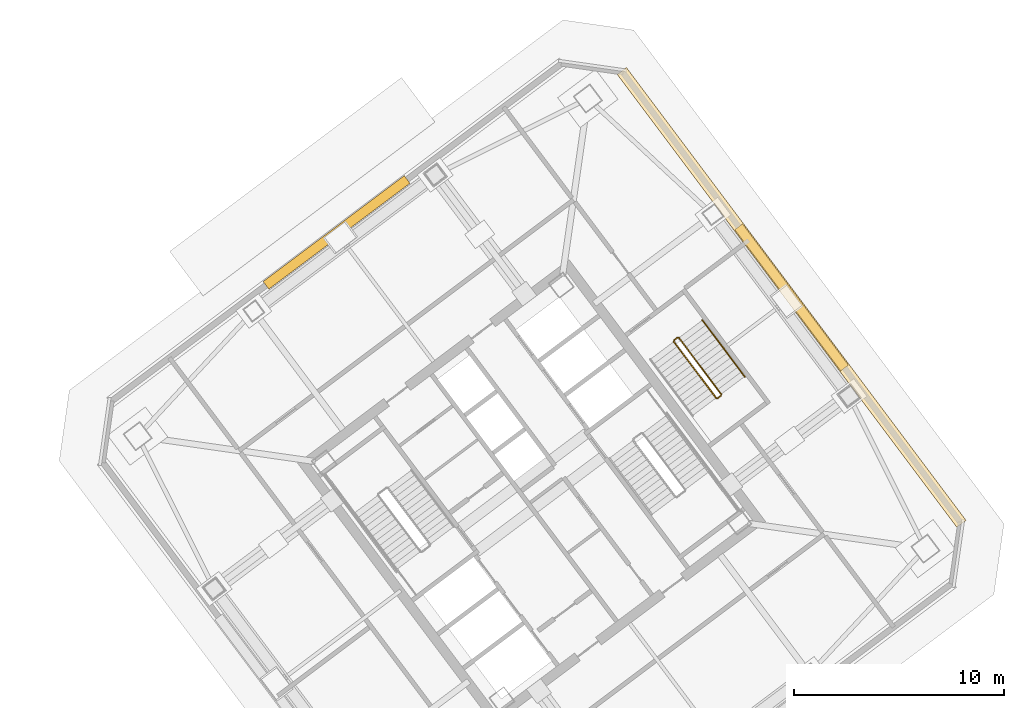
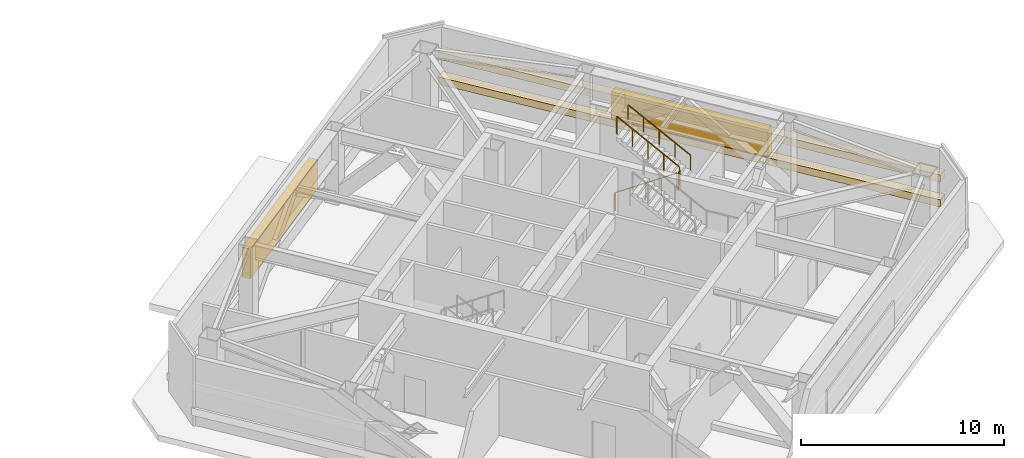
# One storey, part 14 of 15: 5 railings, 2 coverings, 2 shading devices.
"""IFC4 building model written with IfcOpenShell, lengths in metres."""

from ifc_helpers import new_model, si_unit, direction, frame, origin, origin_2d, place, context, subcontext, project, spatial, rectangle, extrude, material, layer, layer_set, type_object, element, save


model = new_model("IFC4")

# Units and contexts
model_context = context("Model", 3, precision=1e-05, world=origin(), true_north=direction((0.0, 1.0)))
body_context = subcontext(model_context, "Body", "Model", "MODEL_VIEW")
ifc_project = project(units=[si_unit("LENGTHUNIT", "METRE"), si_unit("AREAUNIT", "SQUARE_METRE"), si_unit("VOLUMEUNIT", "CUBIC_METRE"), si_unit("PLANEANGLEUNIT", "RADIAN"), si_unit("MASSUNIT", "GRAM", prefix="KILO")], contexts=[model_context])

# Site, building, storey
site_placement = place(None, origin())
site = spatial("IfcSite", under=ifc_project, at=site_placement, CompositionType="ELEMENT")
building_placement = place(site_placement, origin())
building = spatial("IfcBuilding", under=site, at=building_placement, Name="Tashvorn Skyway Center", CompositionType="ELEMENT")
storey_placement = place(building_placement, frame((0.0, 0.0, 199.60009765625)))
storey = spatial("IfcBuildingStorey", under=building, at=storey_placement, Name="L54", CompositionType="ELEMENT", Elevation=199.60009765625)

# Coverings
ifc_material_1 = material(Name="Perforated ceramic-coated bronze aluminium solar screen", Category="aluminium")
ifc_layer_1 = layer(ifc_material_1, 0.85009765625)
ifc_layer_set_1 = layer_set([ifc_layer_1], Name="Perforated ceramic-coated bronze aluminium solar screen")
covering_type = type_object("IfcCoveringType", Name="COV-SOLAR-BAND", PredefinedType="CLADDING", material=ifc_layer_set_1)
for number, where, z_axis, x_axis, name in (
    (1, (126.384033203125, 41.2880859375, 1.030029296875), (0.0, 0.0, 1.0), (0.600000004945, -0.799999996291, 0.0), "Tower 2 L54 East Belt Acoustic Louvre Band 1"),
    (2, (126.384033203125, 41.2880859375, 2.530029296875), (0.0, 0.0, 1.0), (0.600000004945, -0.799999996291, 0.0), "Tower 2 L54 East Belt Acoustic Louvre Band 2"),
):
    element("IfcCovering", number, at=place(storey_placement, frame(where, z_axis=z_axis, x_axis=x_axis)), inside=storey, type_object=covering_type, Name=name, PredefinedType="CLADDING", context=body_context, shape_type="SweptSolid", body=[
        extrude(rectangle(XDim=26.9599609375, YDim=0.550048828125, at=origin_2d()), origin(), (0.0, 0.0, 1.0), 0.43994140625),
    ])

# Railings
ifc_material_2 = material(Name="Brushed stainless steel 316", Category="steel")
railing_type_1 = type_object("IfcRailingType", Name="RAIL-HAND-920", PredefinedType="HANDRAIL", material=ifc_material_2)
railing_1_placement = place(storey_placement, frame((124.152099609375, 37.513916015625, 2.476806640625)))
element("IfcRailing", 3, at=railing_1_placement, inside=storey, type_object=railing_type_1, Name="L54 ST-T2-3 stair handrail 2", PredefinedType="HANDRAIL", context=body_context, shape_type="SweptSolid", body=[
    extrude(rectangle(XDim=0.048095703125, YDim=0.048095703125, at=origin_2d()), frame((0.0, 0.0, 0.8759765625), z_axis=(-0.507251334297, 0.676294162098, 0.53415567971), x_axis=(-0.79998256135, -0.600023250829, 0.0)), (0.0, 0.0, 1.0), 3.974609375),
    extrude(rectangle(XDim=0.0419921875, YDim=0.0419921875, at=origin_2d()), origin(), (0.0, 0.0, 1.0), 0.851806640625),
    extrude(rectangle(XDim=0.0419921875, YDim=0.0419921875, at=origin_2d()), frame((-0.50390625, 0.671875, 0.53076171875)), (0.0, 0.0, 1.0), 0.851806640625),
    extrude(rectangle(XDim=0.0419921875, YDim=0.0419921875, at=origin_2d()), frame((-1.008056640625, 1.343994140625, 1.0615234375)), (0.0, 0.0, 1.0), 0.851806640625),
    extrude(rectangle(XDim=0.0419921875, YDim=0.0419921875, at=origin_2d()), frame((-1.51220703125, 2.01611328125, 1.59228515625)), (0.0, 0.0, 1.0), 0.851806640625),
    extrude(rectangle(XDim=0.0419921875, YDim=0.0419921875, at=origin_2d()), frame((-2.01611328125, 2.68798828125, 2.123046875)), (0.0, 0.0, 1.0), 0.851806640625),
])
ifc_material_3 = material(Name="Painted galvanized steel S355", Category="steel")
railing_type_2 = type_object("IfcRailingType", Name="RAIL-STGUARD-1100", PredefinedType="GUARDRAIL", material=ifc_material_3)
railing_2_placement = place(storey_placement, frame((120.77587890625, 39.181884765625, 0.1767578125)))
element("IfcRailing", 4, at=railing_2_placement, inside=storey, type_object=railing_type_2, Name="L54 ST-T2-3 stair guard 1", PredefinedType="GUARDRAIL", context=body_context, shape_type="SweptSolid", body=[
    extrude(rectangle(XDim=0.048095703125, YDim=0.048095703125, at=origin_2d()), frame((0.0, 0.0, 1.076171875), z_axis=(0.507251334297, -0.676294162098, 0.53415567971), x_axis=(0.79998256135, 0.600023250829, 0.0)), (0.0, 0.0, 1.0), 3.974609375),
    extrude(rectangle(XDim=0.0419921875, YDim=0.0419921875, at=origin_2d()), origin(), (0.0, 0.0, 1.0), 1.052001953125),
    extrude(rectangle(XDim=0.0419921875, YDim=0.0419921875, at=origin_2d()), frame((0.50390625, -0.671875, 0.53076171875)), (0.0, 0.0, 1.0), 1.052001953125),
    extrude(rectangle(XDim=0.0419921875, YDim=0.0419921875, at=origin_2d()), frame((1.008056640625, -1.343994140625, 1.0615234375)), (0.0, 0.0, 1.0), 1.052001953125),
    extrude(rectangle(XDim=0.0419921875, YDim=0.0419921875, at=origin_2d()), frame((1.51220703125, -2.01611328125, 1.59228515625)), (0.0, 0.0, 1.0), 1.052001953125),
    extrude(rectangle(XDim=0.0419921875, YDim=0.0419921875, at=origin_2d()), frame((2.01611328125, -2.68798828125, 2.123046875)), (0.0, 0.0, 1.0), 1.052001953125),
])
railing_3_placement = place(storey_placement, frame((122.862060546875, 36.48388671875, 2.2998046875)))
element("IfcRailing", 5, at=railing_3_placement, inside=storey, type_object=railing_type_2, Name="L54 ST-T2-3 stair guard 2", PredefinedType="GUARDRAIL", context=body_context, shape_type="SweptSolid", body=[
    extrude(rectangle(XDim=0.048095703125, YDim=0.048095703125, at=origin_2d()), frame((0.0, 0.0, 1.076171875), z_axis=(0.799560332416, 0.60058577641, 0.0), x_axis=(-0.60058577641, 0.799560332416, 0.0)), (0.0, 0.0, 1.0), 0.199951171875),
    extrude(rectangle(XDim=0.0419921875, YDim=0.0419921875, at=origin_2d()), origin(), (0.0, 0.0, 1.0), 1.052001953125),
    extrude(rectangle(XDim=0.0419921875, YDim=0.0419921875, at=origin_2d()), frame((0.159912109375, 0.1201171875, 0.0)), (0.0, 0.0, 1.0), 1.052001953125),
])
railing_4_placement = place(storey_placement, frame((123.031982421875, 36.674072265625, 2.476806640625)))
element("IfcRailing", 6, at=railing_4_placement, inside=storey, type_object=railing_type_2, Name="L54 ST-T2-3 stair guard 3", PredefinedType="GUARDRAIL", context=body_context, shape_type="SweptSolid", body=[
    extrude(rectangle(XDim=0.048095703125, YDim=0.048095703125, at=origin_2d()), frame((0.0, 0.0, 1.076171875), z_axis=(-0.507205711726, 0.676315233875, 0.534172322777), x_axis=(-0.800017438734, -0.59997674765, 0.0)), (0.0, 0.0, 1.0), 3.974365234375),
    extrude(rectangle(XDim=0.0419921875, YDim=0.0419921875, at=origin_2d()), origin(), (0.0, 0.0, 1.0), 1.052001953125),
    extrude(rectangle(XDim=0.0419921875, YDim=0.0419921875, at=origin_2d()), frame((-0.50390625, 0.671875, 0.53076171875)), (0.0, 0.0, 1.0), 1.052001953125),
    extrude(rectangle(XDim=0.0419921875, YDim=0.0419921875, at=origin_2d()), frame((-1.0078125, 1.343994140625, 1.0615234375)), (0.0, 0.0, 1.0), 1.052001953125),
    extrude(rectangle(XDim=0.0419921875, YDim=0.0419921875, at=origin_2d()), frame((-1.511962890625, 2.01611328125, 1.59228515625)), (0.0, 0.0, 1.0), 1.052001953125),
    extrude(rectangle(XDim=0.0419921875, YDim=0.0419921875, at=origin_2d()), frame((-2.015869140625, 2.68798828125, 2.123046875)), (0.0, 0.0, 1.0), 1.052001953125),
])
railing_5_placement = place(storey_placement, frame((120.785888671875, 39.251953125, 0.0)))
element("IfcRailing", 7, at=railing_5_placement, inside=storey, type_object=railing_type_2, Name="L54 ST-T2-3 stair guard 4", PredefinedType="GUARDRAIL", context=body_context, shape_type="SweptSolid", body=[
    extrude(rectangle(XDim=0.048095703125, YDim=0.048095703125, at=origin_2d()), frame((0.0, 0.0, 1.076171875), z_axis=(0.8, 0.6, 0.0), x_axis=(-0.6, 0.8, 0.0)), (0.0, 0.0, 1.0), 0.2001953125),
    extrude(rectangle(XDim=0.0419921875, YDim=0.0419921875, at=origin_2d()), origin(), (0.0, 0.0, 1.0), 1.052001953125),
    extrude(rectangle(XDim=0.0419921875, YDim=0.0419921875, at=origin_2d()), frame((0.16015625, 0.1201171875, 0.0)), (0.0, 0.0, 1.0), 1.052001953125),
])

# Shading devices
ifc_material_4 = material(Name="Thermally broken bronze-anodized aluminium 6063-T6", Category="aluminium")
ifc_layer_2 = layer(ifc_material_4, 0.1201171875)
ifc_layer_set_2 = layer_set([ifc_layer_2], Name="Thermally broken bronze-anodized aluminium 6063-T6")
shading_device_type = type_object("IfcShadingDeviceType", Name="SHD-LOUVRE-450", PredefinedType="JALOUSIE", material=ifc_layer_set_2)
for number, where, z_axis, x_axis, name in (
    (8, (104.7119140625, 44.384033203125, 1.2998046875), (0.0, 0.0, 1.0), (0.799999996291, 0.600000004945, 0.0), "Tower 2 L54 North Mechanical Intake Louvre"),
    (9, (126.384033203125, 41.2880859375, 1.2998046875), (0.0, 0.0, 1.0), (0.600000004945, -0.799999996291, 0.0), "Tower 2 L54 East Mechanical Intake Louvre"),
):
    element("IfcShadingDevice", number, at=place(storey_placement, frame(where, z_axis=z_axis, x_axis=x_axis)), inside=storey, type_object=shading_device_type, Name=name, PredefinedType="JALOUSIE", context=body_context, shape_type="SweptSolid", body=[
        extrude(rectangle(XDim=8.39990234375, YDim=0.449951171875, at=origin_2d()), origin(), (0.0, 0.0, 1.0), 1.800048828125),
    ])

save(model, "model.ifc")
